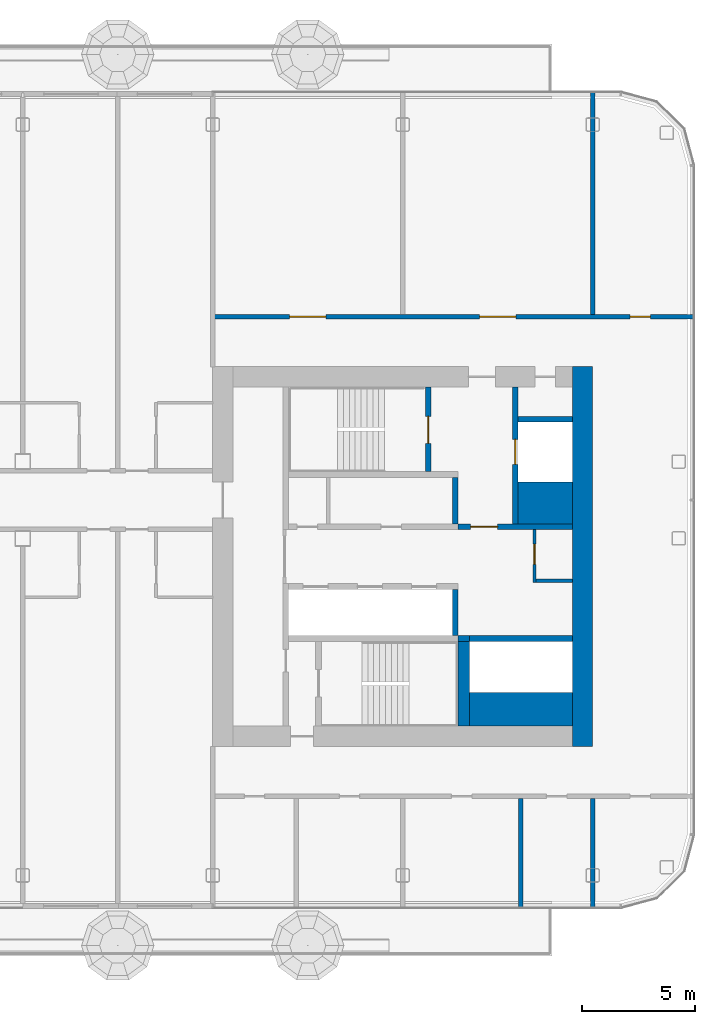
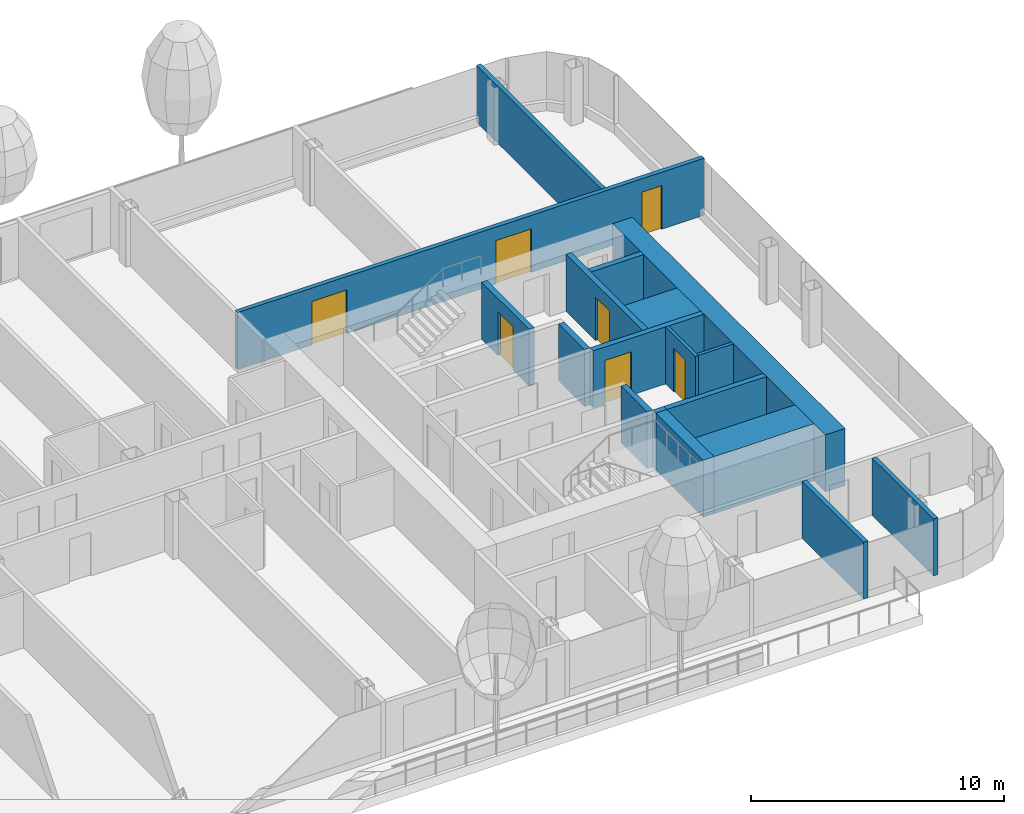
# One storey, part 16 of 29: 18 walls, 7 doors, 7 openings.
"""IFC4 building model written with IfcOpenShell, lengths in metres."""

from ifc_helpers import new_model, si_unit, direction, frame, frame_2d, origin, place, context, subcontext, project, spatial, rectangle, extrude, material, layer, layer_set, type_object, element, fill, save


model = new_model("IFC4")

# Units and contexts
model_context = context("Model", 3, precision=1e-05, world=origin(), true_north=direction((0.0, 1.0)))
body_context = subcontext(model_context, "Body", "Model", "MODEL_VIEW")
ifc_project = project(units=[si_unit("LENGTHUNIT", "METRE"), si_unit("AREAUNIT", "SQUARE_METRE"), si_unit("VOLUMEUNIT", "CUBIC_METRE"), si_unit("PLANEANGLEUNIT", "RADIAN"), si_unit("MASSUNIT", "GRAM", prefix="KILO")], contexts=[model_context])

# Site, building, storey
site_placement = place(None, origin())
site = spatial("IfcSite", under=ifc_project, at=site_placement, CompositionType="ELEMENT")
building_placement = place(site_placement, origin())
building = spatial("IfcBuilding", under=site, at=building_placement, Name="Hakoniwa Tower and Hamabe Station Hall", CompositionType="ELEMENT")
storey_placement = place(building_placement, frame((0.0, 0.0, 205.800048828125)))
storey = spatial("IfcBuildingStorey", under=building, at=storey_placement, Name="L58", CompositionType="ELEMENT", Elevation=205.800048828125)

# Wall, opening, door
ifc_material_1 = material(Name="Gypsum board partition")
ifc_layer_1 = layer(ifc_material_1, 0.14990234375)
ifc_layer_set_1 = layer_set([ifc_layer_1], Name="CORE PARTITION 150 EI 60")
wall_type_1 = type_object("IfcWallType", Name="CORE PARTITION 150 EI 60", PredefinedType="PARTITIONING", material=ifc_layer_set_1)
wall_1_placement = place(storey_placement, frame((31.02490234375, -1.14990234375, 0.0), z_axis=(0.0, 0.0, 1.0), x_axis=(0.0, 1.0, 0.0)))
wall_1 = element("IfcWall", 1, at=wall_1_placement, inside=storey, type_object=wall_type_1, Name="Core partition PW0 east", PredefinedType="PARTITIONING", context=body_context, shape_type="SweptSolid", body=[
    extrude(rectangle(XDim=2.349853515625, YDim=0.14990234375, at=frame_2d((1.1748046875, 0.0))), origin(), (0.0, 0.0, 1.0), 2.75),
])
opening_1_placement = place(wall_1_placement, frame((0.800048828125, 0.0, 0.0)))
opening_1 = element("IfcOpeningElement", 2, at=opening_1_placement, cuts=wall_1, Name="Opening CD-E-RM1-9", PredefinedType="OPENING", context=body_context, shape_type="SweptSolid", body=[
    extrude(rectangle(XDim=0.89990234375, YDim=2.10009765625, at=frame_2d((0.449951171875, 1.050048828125))), frame((0.0, 0.0849609375, 0.0), z_axis=(0.0, -1.0, 0.0), x_axis=(1.0, 0.0, 0.0)), (0.0, 0.0, 1.0), 0.169921875),
])
ifc_material_2 = material(Name="Steel fire door", Category="steel")
door_type_1 = type_object("IfcDoorType", Name="CORE DOOR 900 FD30", OperationType="NOTDEFINED", PredefinedType="DOOR", material=ifc_material_2)
door_1_placement = place(opening_1_placement, origin())
door_1 = element("IfcDoor", 3, at=door_1_placement, inside=storey, type_object=door_type_1, Name="Store room door", OperationType="SINGLE_SWING_LEFT", OverallHeight=2.10009765625, OverallWidth=0.89990234375, PredefinedType="DOOR", context=body_context, shape_type="SweptSolid", body=[
    extrude(rectangle(XDim=0.89990234375, YDim=2.10009765625, at=frame_2d((0.449951171875, 1.050048828125))), frame((0.0, 0.02490234375, 0.0), z_axis=(0.0, -1.0, 0.0), x_axis=(1.0, 0.0, 0.0)), (0.0, 0.0, 1.0), 0.050048828125),
])
fill(opening_1, door_1)

# Walls
wall_2_placement = place(storey_placement, frame((31.10009765625, -1.074951171875, 0.0), z_axis=(0.0, 0.0, 1.0), x_axis=(1.0, 0.0, 0.0)))
element("IfcWall", 4, at=wall_2_placement, inside=storey, type_object=wall_type_1, Name="Core partition PS east", PredefinedType="PARTITIONING", context=body_context, shape_type="SweptSolid", body=[
    extrude(rectangle(XDim=1.599853515625, YDim=0.14990234375, at=frame_2d((0.7998046875, 0.0))), origin(), (0.0, 0.0, 1.0), 2.75),
])
ifc_material_3 = material(Name="Concrete C60", Category="concrete")
ifc_layer_2 = layer(ifc_material_3, 0.89990234375)
ifc_layer_set_2 = layer_set([ifc_layer_2], Name="CORE WALL 900 C60")
wall_type_2 = type_object("IfcWallType", Name="CORE WALL 900 C60", PredefinedType="SHEAR", material=ifc_layer_set_2)
wall_3_placement = place(storey_placement, frame((33.14990234375, -8.39990234375, 0.0), z_axis=(0.0, 0.0, 1.0), x_axis=(0.0, 1.0, 0.0)))
element("IfcWall", 5, at=wall_3_placement, inside=storey, type_object=wall_type_2, Name="Core wall OUTER east", PredefinedType="SHEAR", context=body_context, shape_type="SweptSolid", body=[
    extrude(rectangle(XDim=16.7998046875, YDim=0.89990234375, at=frame_2d((8.39990234375, 0.0))), origin(), (0.0, 0.0, 1.0), 2.75),
])
ifc_material_4 = material(Name="Concrete C60", Category="concrete")
ifc_layer_3 = layer(ifc_material_4, 1.5)
ifc_layer_set_3 = layer_set([ifc_layer_3], Name="CORE WEB WALL 1500 C60")
wall_type_3 = type_object("IfcWallType", Name="CORE WEB WALL 1500 C60", PredefinedType="SHEAR", material=ifc_layer_set_3)
wall_4_placement = place(storey_placement, frame((28.14990234375, -6.75, 0.0), z_axis=(0.0, 0.0, 1.0), x_axis=(1.0, 0.0, 0.0)))
element("IfcWall", 6, at=wall_4_placement, inside=storey, type_object=wall_type_3, Name="Core wall SER east", PredefinedType="SHEAR", context=body_context, shape_type="SweptSolid", body=[
    extrude(rectangle(XDim=4.550048828125, YDim=1.5, at=frame_2d((2.27490234375, 0.0))), origin(), (0.0, 0.0, 1.0), 2.75),
])
ifc_material_5 = material(Name="Concrete C60", Category="concrete")
ifc_layer_4 = layer(ifc_material_5, 1.85009765625)
ifc_layer_set_4 = layer_set([ifc_layer_4], Name="CORE WEB WALL 1850 C60")
wall_type_4 = type_object("IfcWallType", Name="CORE WEB WALL 1850 C60", PredefinedType="SHEAR", material=ifc_layer_set_4)
wall_5_placement = place(storey_placement, frame((30.300048828125, 2.375, 0.0), z_axis=(0.0, 0.0, 1.0), x_axis=(1.0, 0.0, 0.0)))
element("IfcWall", 7, at=wall_5_placement, inside=storey, type_object=wall_type_4, Name="Core wall CA east", PredefinedType="SHEAR", context=body_context, shape_type="SweptSolid", body=[
    extrude(rectangle(XDim=2.39990234375, YDim=1.85009765625, at=frame_2d((1.199951171875, 0.0))), origin(), (0.0, 0.0, 1.0), 2.75),
])
ifc_material_6 = material(Name="Concrete C60", Category="concrete")
ifc_layer_5 = layer(ifc_material_6, 0.25)
ifc_layer_set_5 = layer_set([ifc_layer_5], Name="CORE WEB WALL 250 C60")
wall_type_5 = type_object("IfcWallType", Name="CORE WEB WALL 250 C60", PredefinedType="SHEAR", material=ifc_layer_set_5)
wall_6_placement = place(storey_placement, frame((27.52490234375, 1.449951171875, 0.0), z_axis=(0.0, 0.0, 1.0), x_axis=(0.0, 1.0, 0.0)))
element("IfcWall", 8, at=wall_6_placement, inside=storey, type_object=wall_type_5, Name="Core wall NE east", PredefinedType="SHEAR", context=body_context, shape_type="SweptSolid", body=[
    extrude(rectangle(XDim=2.050048828125, YDim=0.25, at=frame_2d((1.02490234375, 0.0))), origin(), (0.0, 0.0, 1.0), 2.75),
])

# Wall, opening, door
wall_7_placement = place(storey_placement, frame((26.324951171875, 3.75, 0.0), z_axis=(0.0, 0.0, 1.0), x_axis=(0.0, 1.0, 0.0)))
wall_7 = element("IfcWall", 9, at=wall_7_placement, inside=storey, type_object=wall_type_5, Name="Core wall NSE east", PredefinedType="SHEAR", context=body_context, shape_type="SweptSolid", body=[
    extrude(rectangle(XDim=3.75, YDim=0.25, at=frame_2d((1.875, 0.0))), origin(), (0.0, 0.0, 1.0), 2.75),
])
opening_2_placement = place(wall_7_placement, frame((1.25, 0.0, 0.0)))
opening_2 = element("IfcOpeningElement", 10, at=opening_2_placement, cuts=wall_7, Name="Opening CD-E-SN-12", PredefinedType="OPENING", context=body_context, shape_type="SweptSolid", body=[
    extrude(rectangle(XDim=1.199951171875, YDim=2.10009765625, at=frame_2d((0.60009765625, 1.050048828125))), frame((0.0, 0.135009765625, 0.0), z_axis=(0.0, -1.0, 0.0), x_axis=(1.0, 0.0, 0.0)), (0.0, 0.0, 1.0), 0.27001953125),
])
ifc_material_7 = material(Name="Steel fire door", Category="steel")
door_type_2 = type_object("IfcDoorType", Name="CORE DOOR 1200 FD60", OperationType="DOUBLE_DOOR_SINGLE_SWING", PredefinedType="DOOR", material=ifc_material_7)
door_2_placement = place(opening_2_placement, origin())
door_2 = element("IfcDoor", 11, at=door_2_placement, inside=storey, type_object=door_type_2, Name="Escape stair door", OperationType="DOUBLE_DOOR_SINGLE_SWING", OverallHeight=2.10009765625, OverallWidth=1.199951171875, PredefinedType="DOOR", context=body_context, shape_type="SweptSolid", body=[
    extrude(rectangle(XDim=1.199951171875, YDim=2.10009765625, at=frame_2d((0.60009765625, 1.050048828125))), frame((0.0, 0.02490234375, 0.0), z_axis=(0.0, -1.0, 0.0), x_axis=(1.0, 0.0, 0.0)), (0.0, 0.0, 1.0), 0.050048828125),
])
fill(opening_2, door_2)

wall_8_placement = place(storey_placement, frame((27.64990234375, 1.324951171875, 0.0), z_axis=(0.0, 0.0, 1.0), x_axis=(1.0, 0.0, 0.0)))
wall_8 = element("IfcWall", 12, at=wall_8_placement, inside=storey, type_object=wall_type_5, Name="Core wall ELN east", PredefinedType="SHEAR", context=body_context, shape_type="SweptSolid", body=[
    extrude(rectangle(XDim=5.050048828125, YDim=0.25, at=frame_2d((2.52490234375, 0.0))), origin(), (0.0, 0.0, 1.0), 2.75),
])
opening_3_placement = place(wall_8_placement, frame((0.550048828125, 0.0, 0.0)))
opening_3 = element("IfcOpeningElement", 13, at=opening_3_placement, cuts=wall_8, Name="Opening CD-E-FL-12", PredefinedType="OPENING", context=body_context, shape_type="SweptSolid", body=[
    extrude(rectangle(XDim=1.199951171875, YDim=2.10009765625, at=frame_2d((0.60009765625, 1.050048828125))), frame((0.0, 0.135009765625, 0.0), z_axis=(0.0, -1.0, 0.0), x_axis=(1.0, 0.0, 0.0)), (0.0, 0.0, 1.0), 0.27001953125),
])
door_3_placement = place(opening_3_placement, origin())
door_3 = element("IfcDoor", 14, at=door_3_placement, inside=storey, type_object=door_type_2, Name="Stair vestibule door to the fire-fighting lobby", OperationType="DOUBLE_DOOR_SINGLE_SWING", OverallHeight=2.10009765625, OverallWidth=1.199951171875, PredefinedType="DOOR", context=body_context, shape_type="SweptSolid", body=[
    extrude(rectangle(XDim=1.199951171875, YDim=2.10009765625, at=frame_2d((0.60009765625, 1.050048828125))), frame((0.0, 0.02490234375, 0.0), z_axis=(0.0, -1.0, 0.0), x_axis=(1.0, 0.0, 0.0)), (0.0, 0.0, 1.0), 0.050048828125),
])
fill(opening_3, door_3)

wall_9_placement = place(storey_placement, frame((30.175048828125, 1.449951171875, 0.0), z_axis=(0.0, 0.0, 1.0), x_axis=(0.0, 1.0, 0.0)))
wall_9 = element("IfcWall", 15, at=wall_9_placement, inside=storey, type_object=wall_type_5, Name="Core wall FFF east", PredefinedType="SHEAR", context=body_context, shape_type="SweptSolid", body=[
    extrude(rectangle(XDim=6.050048828125, YDim=0.25, at=frame_2d((3.02490234375, 0.0))), origin(), (0.0, 0.0, 1.0), 2.75),
])
opening_4_placement = place(wall_9_placement, frame((2.625, 0.0, 0.0)))
opening_4 = element("IfcOpeningElement", 16, at=opening_4_placement, cuts=wall_9, Name="Opening LD-FF2", PredefinedType="OPENING", context=body_context, shape_type="SweptSolid", body=[
    extrude(rectangle(XDim=1.10009765625, YDim=2.10009765625, at=frame_2d((0.550048828125, 1.050048828125))), frame((0.0, 0.135009765625, 0.0), z_axis=(0.0, -1.0, 0.0), x_axis=(1.0, 0.0, 0.0)), (0.0, 0.0, 1.0), 0.27001953125),
])
ifc_material_8 = material(Name="Stainless steel SUS304", Category="steel")
door_type_3 = type_object("IfcDoorType", Name="LIFT LANDING DOOR 1100 FD60", OperationType="DOUBLE_DOOR_SLIDING", PredefinedType="DOOR", material=ifc_material_8)
door_4_placement = place(opening_4_placement, origin())
door_4 = element("IfcDoor", 17, at=door_4_placement, inside=storey, type_object=door_type_3, Name="Lift landing door FF2 L58", OperationType="DOUBLE_DOOR_SLIDING", OverallHeight=2.10009765625, OverallWidth=1.10009765625, PredefinedType="DOOR", context=body_context, shape_type="SweptSolid", body=[
    extrude(rectangle(XDim=1.10009765625, YDim=2.10009765625, at=frame_2d((0.550048828125, 1.050048828125))), frame((0.0, 0.02490234375, 0.0), z_axis=(0.0, -1.0, 0.0), x_axis=(1.0, 0.0, 0.0)), (0.0, 0.0, 1.0), 0.050048828125),
])
fill(opening_4, door_4)

# Walls
wall_10_placement = place(storey_placement, frame((30.300048828125, 6.074951171875, 0.0), z_axis=(0.0, 0.0, 1.0), x_axis=(1.0, 0.0, 0.0)))
element("IfcWall", 18, at=wall_10_placement, inside=storey, type_object=wall_type_5, Name="Core wall C2 east", PredefinedType="SHEAR", context=body_context, shape_type="SweptSolid", body=[
    extrude(rectangle(XDim=2.39990234375, YDim=0.25, at=frame_2d((1.199951171875, 0.0))), origin(), (0.0, 0.0, 1.0), 2.75),
])
wall_11_placement = place(storey_placement, frame((27.52490234375, -3.5, 0.0), z_axis=(0.0, 0.0, 1.0), x_axis=(0.0, 1.0, 0.0)))
element("IfcWall", 19, at=wall_11_placement, inside=storey, type_object=wall_type_5, Name="Core wall SE east", PredefinedType="SHEAR", context=body_context, shape_type="SweptSolid", body=[
    extrude(rectangle(XDim=2.050048828125, YDim=0.25, at=frame_2d((1.02490234375, 0.0))), origin(), (0.0, 0.0, 1.0), 2.75),
])
wall_12_placement = place(storey_placement, frame((28.14990234375, -3.625, 0.0), z_axis=(0.0, 0.0, 1.0), x_axis=(1.0, 0.0, 0.0)))
element("IfcWall", 20, at=wall_12_placement, inside=storey, type_object=wall_type_5, Name="Core wall SEF east", PredefinedType="SHEAR", context=body_context, shape_type="SweptSolid", body=[
    extrude(rectangle(XDim=4.550048828125, YDim=0.25, at=frame_2d((2.27490234375, 0.0))), origin(), (0.0, 0.0, 1.0), 2.75),
])
wall_13_placement = place(storey_placement, frame((27.64990234375, -3.625, 0.0), z_axis=(0.0, 0.0, 1.0), x_axis=(1.0, 0.0, 0.0)))
element("IfcWall", 21, at=wall_13_placement, inside=storey, type_object=wall_type_5, Name="Core wall SRK east", PredefinedType="SHEAR", context=body_context, shape_type="SweptSolid", body=[
    extrude(rectangle(XDim=0.5, YDim=0.25, at=frame_2d((0.25, 0.0))), origin(), (0.0, 0.0, 1.0), 2.75),
])
ifc_material_9 = material(Name="Concrete C60", Category="concrete")
ifc_layer_6 = layer(ifc_material_9, 0.5)
ifc_layer_set_6 = layer_set([ifc_layer_6], Name="CORE WEB WALL 500 C60")
wall_type_6 = type_object("IfcWallType", Name="CORE WEB WALL 500 C60", PredefinedType="SHEAR", material=ifc_layer_set_6)
wall_14_placement = place(storey_placement, frame((27.89990234375, -7.5, 0.0), z_axis=(0.0, 0.0, 1.0), x_axis=(0.0, 1.0, 0.0)))
element("IfcWall", 22, at=wall_14_placement, inside=storey, type_object=wall_type_6, Name="Core wall SSE east", PredefinedType="SHEAR", context=body_context, shape_type="SweptSolid", body=[
    extrude(rectangle(XDim=3.75, YDim=0.5, at=frame_2d((1.875, 0.0))), origin(), (0.0, 0.0, 1.0), 2.75),
])

# Wall, openings, doors
ifc_material_10 = material(Name="Fire-rated gypsum board partition", Category="gypsum")
ifc_layer_7 = layer(ifc_material_10, 0.199951171875)
ifc_layer_set_7 = layer_set([ifc_layer_7], Name="Corridor Wall 200")
wall_type_7 = type_object("IfcWallType", Name="Corridor Wall 200", PredefinedType="PARTITIONING", material=ifc_layer_set_7)
wall_15_placement = place(storey_placement, frame((16.800048828125, 10.60009765625, 0.0), z_axis=(0.0, 0.0, 1.0), x_axis=(1.0, 0.0, 0.0)))
wall_15 = element("IfcWall", 23, at=wall_15_placement, inside=storey, type_object=wall_type_7, Name="GW-L58-016", PredefinedType="PARTITIONING", context=body_context, shape_type="SweptSolid", body=[
    extrude(rectangle(XDim=21.300048828125, YDim=0.199951171875, at=frame_2d((10.64990234375, 0.0))), origin(), (0.0, 0.0, 1.0), 2.75),
])
opening_5_placement = place(wall_15_placement, frame((3.39990234375, 0.0, 0.0)))
opening_5 = element("IfcOpeningElement", 24, at=opening_5_placement, cuts=wall_15, Name="Opening GD-G4B1-30", PredefinedType="OPENING", context=body_context, shape_type="SweptSolid", body=[
    extrude(rectangle(XDim=1.60009765625, YDim=2.10009765625, at=frame_2d((0.800048828125, 1.050048828125))), frame((0.0, 0.10986328125, 0.0), z_axis=(0.0, -1.0, 0.0), x_axis=(1.0, 0.0, 0.0)), (0.0, 0.0, 1.0), 0.219970703125),
])
opening_6_placement = place(wall_15_placement, frame((11.800048828125, 0.0, 0.0)))
opening_6 = element("IfcOpeningElement", 25, at=opening_6_placement, cuts=wall_15, Name="Opening GD-G4B1-31", PredefinedType="OPENING", context=body_context, shape_type="SweptSolid", body=[
    extrude(rectangle(XDim=1.60009765625, YDim=2.10009765625, at=frame_2d((0.800048828125, 1.050048828125))), frame((0.0, 0.10986328125, 0.0), z_axis=(0.0, -1.0, 0.0), x_axis=(1.0, 0.0, 0.0)), (0.0, 0.0, 1.0), 0.219970703125),
])
opening_7_placement = place(wall_15_placement, frame((18.449951171875, 0.0, 0.0)))
opening_7 = element("IfcOpeningElement", 26, at=opening_7_placement, cuts=wall_15, Name="Opening GD-G4B1-32", PredefinedType="OPENING", context=body_context, shape_type="SweptSolid", body=[
    extrude(rectangle(XDim=0.89990234375, YDim=2.10009765625, at=frame_2d((0.449951171875, 1.050048828125))), frame((0.0, 0.10986328125, 0.0), z_axis=(0.0, -1.0, 0.0), x_axis=(1.0, 0.0, 0.0)), (0.0, 0.0, 1.0), 0.219970703125),
])
ifc_material_11 = material(Name="Timber door leaf", Category="wood")
door_type_4 = type_object("IfcDoorType", Name="Double Door 1600", OperationType="DOUBLE_DOOR_SINGLE_SWING", PredefinedType="DOOR", material=ifc_material_11)
door_5_placement = place(opening_5_placement, origin())
door_5 = element("IfcDoor", 27, at=door_5_placement, inside=storey, type_object=door_type_4, Name="Door GD-G4B1-30", OperationType="DOUBLE_DOOR_SINGLE_SWING", OverallHeight=2.10009765625, OverallWidth=1.60009765625, PredefinedType="DOOR", context=body_context, shape_type="SweptSolid", body=[
    extrude(rectangle(XDim=1.60009765625, YDim=2.10009765625, at=frame_2d((0.800048828125, 1.050048828125))), frame((0.0, 0.02490234375, 0.0), z_axis=(0.0, -1.0, 0.0), x_axis=(1.0, 0.0, 0.0)), (0.0, 0.0, 1.0), 0.050048828125),
])
fill(opening_5, door_5)
door_6_placement = place(opening_6_placement, origin())
door_6 = element("IfcDoor", 28, at=door_6_placement, inside=storey, type_object=door_type_4, Name="Door GD-G4B1-31", OperationType="DOUBLE_DOOR_SINGLE_SWING", OverallHeight=2.10009765625, OverallWidth=1.60009765625, PredefinedType="DOOR", context=body_context, shape_type="SweptSolid", body=[
    extrude(rectangle(XDim=1.60009765625, YDim=2.10009765625, at=frame_2d((0.800048828125, 1.050048828125))), frame((0.0, 0.02490234375, 0.0), z_axis=(0.0, -1.0, 0.0), x_axis=(1.0, 0.0, 0.0)), (0.0, 0.0, 1.0), 0.050048828125),
])
fill(opening_6, door_6)
ifc_material_12 = material(Name="Timber door leaf", Category="wood")
door_type_5 = type_object("IfcDoorType", Name="Service Door 900", OperationType="SINGLE_SWING_LEFT", PredefinedType="DOOR", material=ifc_material_12)
door_7_placement = place(opening_7_placement, origin())
door_7 = element("IfcDoor", 29, at=door_7_placement, inside=storey, type_object=door_type_5, Name="Door GD-G4B1-32", OperationType="SINGLE_SWING_RIGHT", OverallHeight=2.10009765625, OverallWidth=0.89990234375, PredefinedType="DOOR", context=body_context, shape_type="SweptSolid", body=[
    extrude(rectangle(XDim=0.89990234375, YDim=2.10009765625, at=frame_2d((0.449951171875, 1.050048828125))), frame((0.0, 0.02490234375, 0.0), z_axis=(0.0, -1.0, 0.0), x_axis=(1.0, 0.0, 0.0)), (0.0, 0.0, 1.0), 0.050048828125),
])
fill(opening_7, door_7)

# Walls
ifc_material_13 = material(Name="Fire-rated gypsum board partition", Category="gypsum")
ifc_layer_8 = layer(ifc_material_13, 0.199951171875)
ifc_layer_set_8 = layer_set([ifc_layer_8], Name="Party Wall 200")
wall_type_8 = type_object("IfcWallType", Name="Party Wall 200", PredefinedType="PARTITIONING", material=ifc_layer_set_8)
for number, where, z_axis, x_axis, name in (
    (30, (30.409912109375, -15.550048828125, 0.0), (0.0, 0.0, 1.0), (0.0, 1.0, 0.0), "GW-L58-062"),
    (31, (33.60009765625, -15.550048828125, 0.0), (0.0, 0.0, 1.0), (0.0, 1.0, 0.0), "GW-L58-063"),
):
    element("IfcWall", number, at=place(storey_placement, frame(where, z_axis=z_axis, x_axis=x_axis)), inside=storey, type_object=wall_type_8, Name=name, PredefinedType="PARTITIONING", context=body_context, shape_type="SweptSolid", body=[
        extrude(rectangle(XDim=4.85009765625, YDim=0.199951171875, at=frame_2d((2.425048828125, 0.0))), origin(), (0.0, 0.0, 1.0), 2.75),
    ])
wall_16_placement = place(storey_placement, frame((33.60009765625, 10.699951171875, 0.0), z_axis=(0.0, 0.0, 1.0), x_axis=(0.0, 1.0, 0.0)))
element("IfcWall", 32, at=wall_16_placement, inside=storey, type_object=wall_type_8, Name="GW-L58-064", PredefinedType="PARTITIONING", context=body_context, shape_type="SweptSolid", body=[
    extrude(rectangle(XDim=9.85009765625, YDim=0.199951171875, at=frame_2d((4.925048828125, 0.0))), origin(), (0.0, 0.0, 1.0), 2.75),
])

save(model, "model.ifc")
